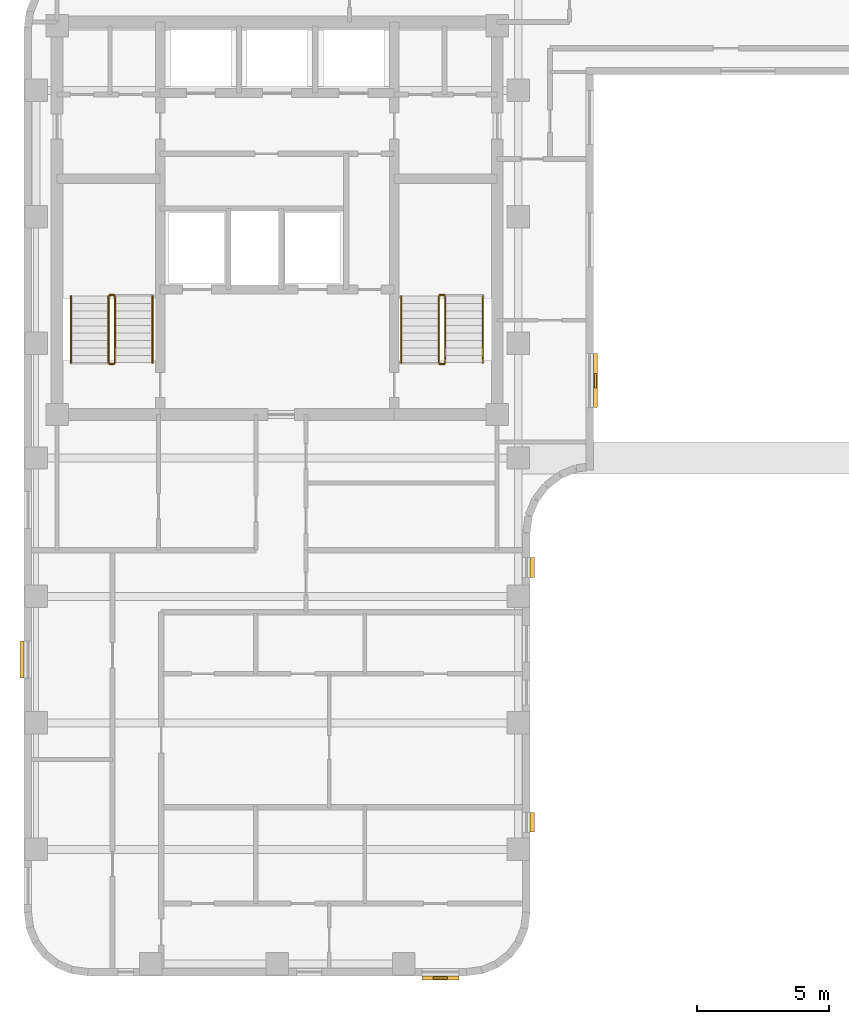
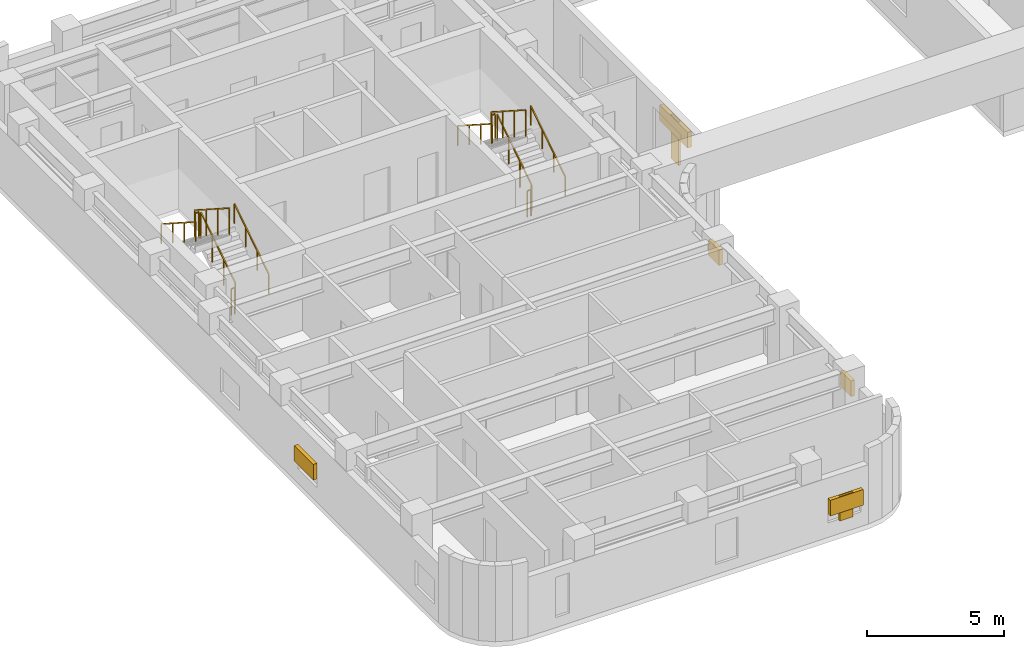
# One storey, part 7 of 8: 12 railings, 7 shading devices.
"""IFC4 building model written with IfcOpenShell, lengths in metres."""

from ifc_helpers import new_model, si_unit, direction, frame, origin, origin_2d, place, context, subcontext, project, spatial, rectangle, extrude, material, type_object, element, save


model = new_model("IFC4")

# Units and contexts
model_context = context("Model", 3, precision=1e-05, world=origin(), true_north=direction((0.0, 1.0)))
body_context = subcontext(model_context, "Body", "Model", "MODEL_VIEW")
ifc_project = project(units=[si_unit("LENGTHUNIT", "METRE"), si_unit("AREAUNIT", "SQUARE_METRE"), si_unit("VOLUMEUNIT", "CUBIC_METRE"), si_unit("PLANEANGLEUNIT", "RADIAN"), si_unit("MASSUNIT", "GRAM", prefix="KILO")], contexts=[model_context])

# Site, building, storey
site_placement = place(None, origin())
site = spatial("IfcSite", under=ifc_project, at=site_placement, CompositionType="ELEMENT")
building_placement = place(site_placement, origin())
building = spatial("IfcBuilding", under=site, at=building_placement, Name="Orvandelia Arch Residences", CompositionType="ELEMENT")
storey_placement = place(building_placement, frame((0.0, 0.0, 203.800048828125)))
storey = spatial("IfcBuildingStorey", under=building, at=storey_placement, Name="L53", CompositionType="ELEMENT", Elevation=203.800048828125)

# Railings
ifc_material_1 = material(Name="Brushed Stainless Steel 304", Category="steel")
railing_type_1 = type_object("IfcRailingType", Name="RL-STAIR-GD1120", PredefinedType="GUARDRAIL", material=ifc_material_1)
railing_1_placement = place(storey_placement, frame((8.25, 32.8701171875, 0.179931640625)))
element("IfcRailing", 1, at=railing_1_placement, inside=storey, type_object=railing_type_1, Name="L53 ST-1 stair guard 1", PredefinedType="GUARDRAIL", context=body_context, shape_type="SweptSolid", body=[
    extrude(rectangle(XDim=0.048095703125, YDim=0.048095703125, at=origin_2d()), frame((0.0, 0.0, 1.17578125), z_axis=(0.0, 0.841138753965, 0.540819375188), x_axis=(-1.0, 0.0, 0.0)), (0.0, 0.0, 1.0), 2.99560546875),
    extrude(rectangle(XDim=0.0419921875, YDim=0.0419921875, at=origin_2d()), origin(), (0.0, 0.0, 1.0), 1.15185546875),
    extrude(rectangle(XDim=0.0419921875, YDim=0.0419921875, at=origin_2d()), frame((0.0, 0.83984375, 0.5400390625)), (0.0, 0.0, 1.0), 1.15185546875),
    extrude(rectangle(XDim=0.0419921875, YDim=0.0419921875, at=origin_2d()), frame((0.0, 1.679931640625, 1.080078125)), (0.0, 0.0, 1.0), 1.15185546875),
    extrude(rectangle(XDim=0.0419921875, YDim=0.0419921875, at=origin_2d()), frame((0.0, 2.519775390625, 1.6201171875)), (0.0, 0.0, 1.0), 1.15185546875),
])
railing_2_placement = place(storey_placement, frame((8.199951171875, 35.43994140625, 1.800048828125)))
element("IfcRailing", 2, at=railing_2_placement, inside=storey, type_object=railing_type_1, Name="L53 ST-1 stair guard 2", PredefinedType="GUARDRAIL", context=body_context, shape_type="SweptSolid", body=[
    extrude(rectangle(XDim=0.048095703125, YDim=0.048095703125, at=origin_2d()), frame((0.0, 0.0, 1.17578125), z_axis=(-1.0, 0.0, 0.0), x_axis=(0.0, -1.0, 0.0)), (0.0, 0.0, 1.0), 0.14990234375),
    extrude(rectangle(XDim=0.0419921875, YDim=0.0419921875, at=origin_2d()), origin(), (0.0, 0.0, 1.0), 1.15185546875),
    extrude(rectangle(XDim=0.0419921875, YDim=0.0419921875, at=origin_2d()), frame((-0.14990234375, 0.0, 0.0)), (0.0, 0.0, 1.0), 1.15185546875),
])
railing_3_placement = place(storey_placement, frame((8.0, 35.389892578125, 1.97998046875)))
element("IfcRailing", 3, at=railing_3_placement, inside=storey, type_object=railing_type_1, Name="L53 ST-1 stair guard 3", PredefinedType="GUARDRAIL", context=body_context, shape_type="SweptSolid", body=[
    extrude(rectangle(XDim=0.048095703125, YDim=0.048095703125, at=origin_2d()), frame((0.0, 0.0, 1.17578125), z_axis=(0.0, -0.841175827307, 0.540761710511), x_axis=(1.0, 0.0, 0.0)), (0.0, 0.0, 1.0), 2.99560546875),
    extrude(rectangle(XDim=0.0419921875, YDim=0.0419921875, at=origin_2d()), origin(), (0.0, 0.0, 1.0), 1.15185546875),
    extrude(rectangle(XDim=0.0419921875, YDim=0.0419921875, at=origin_2d()), frame((0.0, -0.83984375, 0.5400390625)), (0.0, 0.0, 1.0), 1.15185546875),
    extrude(rectangle(XDim=0.0419921875, YDim=0.0419921875, at=origin_2d()), frame((0.0, -1.679931640625, 1.079833984375)), (0.0, 0.0, 1.0), 1.15185546875),
    extrude(rectangle(XDim=0.0419921875, YDim=0.0419921875, at=origin_2d()), frame((0.0, -2.519775390625, 1.619873046875)), (0.0, 0.0, 1.0), 1.15185546875),
])
railing_4_placement = place(storey_placement, frame((8.199951171875, 32.820068359375, 0.0)))
element("IfcRailing", 4, at=railing_4_placement, inside=storey, type_object=railing_type_1, Name="L53 ST-1 stair guard 4", PredefinedType="GUARDRAIL", context=body_context, shape_type="SweptSolid", body=[
    extrude(rectangle(XDim=0.048095703125, YDim=0.048095703125, at=origin_2d()), frame((0.0, 0.0, 1.17578125), z_axis=(-1.0, 0.0, 0.0), x_axis=(0.0, -1.0, 0.0)), (0.0, 0.0, 1.0), 0.14990234375),
    extrude(rectangle(XDim=0.0419921875, YDim=0.0419921875, at=origin_2d()), origin(), (0.0, 0.0, 1.0), 1.15185546875),
    extrude(rectangle(XDim=0.0419921875, YDim=0.0419921875, at=origin_2d()), frame((-0.14990234375, 0.0, 0.0)), (0.0, 0.0, 1.0), 1.15185546875),
])
railing_5_placement = place(storey_placement, frame((20.780029296875, 32.8701171875, 0.179931640625)))
element("IfcRailing", 5, at=railing_5_placement, inside=storey, type_object=railing_type_1, Name="L53 ST-2 stair guard 1", PredefinedType="GUARDRAIL", context=body_context, shape_type="SweptSolid", body=[
    extrude(rectangle(XDim=0.048095703125, YDim=0.048095703125, at=origin_2d()), frame((0.0, 0.0, 1.17578125), z_axis=(0.0, 0.841138753965, 0.540819375188), x_axis=(-1.0, 0.0, 0.0)), (0.0, 0.0, 1.0), 2.99560546875),
    extrude(rectangle(XDim=0.0419921875, YDim=0.0419921875, at=origin_2d()), origin(), (0.0, 0.0, 1.0), 1.15185546875),
    extrude(rectangle(XDim=0.0419921875, YDim=0.0419921875, at=origin_2d()), frame((0.0, 0.83984375, 0.5400390625)), (0.0, 0.0, 1.0), 1.15185546875),
    extrude(rectangle(XDim=0.0419921875, YDim=0.0419921875, at=origin_2d()), frame((0.0, 1.679931640625, 1.080078125)), (0.0, 0.0, 1.0), 1.15185546875),
    extrude(rectangle(XDim=0.0419921875, YDim=0.0419921875, at=origin_2d()), frame((0.0, 2.519775390625, 1.6201171875)), (0.0, 0.0, 1.0), 1.15185546875),
])
railing_6_placement = place(storey_placement, frame((20.72998046875, 35.43994140625, 1.800048828125)))
element("IfcRailing", 6, at=railing_6_placement, inside=storey, type_object=railing_type_1, Name="L53 ST-2 stair guard 2", PredefinedType="GUARDRAIL", context=body_context, shape_type="SweptSolid", body=[
    extrude(rectangle(XDim=0.048095703125, YDim=0.048095703125, at=origin_2d()), frame((0.0, 0.0, 1.17578125), z_axis=(-1.0, 0.0, 0.0), x_axis=(0.0, -1.0, 0.0)), (0.0, 0.0, 1.0), 0.14990234375),
    extrude(rectangle(XDim=0.0419921875, YDim=0.0419921875, at=origin_2d()), origin(), (0.0, 0.0, 1.0), 1.15185546875),
    extrude(rectangle(XDim=0.0419921875, YDim=0.0419921875, at=origin_2d()), frame((-0.14990234375, 0.0, 0.0)), (0.0, 0.0, 1.0), 1.15185546875),
])
railing_7_placement = place(storey_placement, frame((20.530029296875, 35.389892578125, 1.97998046875)))
element("IfcRailing", 7, at=railing_7_placement, inside=storey, type_object=railing_type_1, Name="L53 ST-2 stair guard 3", PredefinedType="GUARDRAIL", context=body_context, shape_type="SweptSolid", body=[
    extrude(rectangle(XDim=0.048095703125, YDim=0.048095703125, at=origin_2d()), frame((0.0, 0.0, 1.17578125), z_axis=(0.0, -0.841175827307, 0.540761710511), x_axis=(1.0, 0.0, 0.0)), (0.0, 0.0, 1.0), 2.99560546875),
    extrude(rectangle(XDim=0.0419921875, YDim=0.0419921875, at=origin_2d()), origin(), (0.0, 0.0, 1.0), 1.15185546875),
    extrude(rectangle(XDim=0.0419921875, YDim=0.0419921875, at=origin_2d()), frame((0.0, -0.83984375, 0.5400390625)), (0.0, 0.0, 1.0), 1.15185546875),
    extrude(rectangle(XDim=0.0419921875, YDim=0.0419921875, at=origin_2d()), frame((0.0, -1.679931640625, 1.079833984375)), (0.0, 0.0, 1.0), 1.15185546875),
    extrude(rectangle(XDim=0.0419921875, YDim=0.0419921875, at=origin_2d()), frame((0.0, -2.519775390625, 1.619873046875)), (0.0, 0.0, 1.0), 1.15185546875),
])
railing_8_placement = place(storey_placement, frame((20.72998046875, 32.820068359375, 0.0)))
element("IfcRailing", 8, at=railing_8_placement, inside=storey, type_object=railing_type_1, Name="L53 ST-2 stair guard 4", PredefinedType="GUARDRAIL", context=body_context, shape_type="SweptSolid", body=[
    extrude(rectangle(XDim=0.048095703125, YDim=0.048095703125, at=origin_2d()), frame((0.0, 0.0, 1.17578125), z_axis=(-1.0, 0.0, 0.0), x_axis=(0.0, -1.0, 0.0)), (0.0, 0.0, 1.0), 0.14990234375),
    extrude(rectangle(XDim=0.0419921875, YDim=0.0419921875, at=origin_2d()), origin(), (0.0, 0.0, 1.0), 1.15185546875),
    extrude(rectangle(XDim=0.0419921875, YDim=0.0419921875, at=origin_2d()), frame((-0.14990234375, 0.0, 0.0)), (0.0, 0.0, 1.0), 1.15185546875),
])
railing_type_2 = type_object("IfcRailingType", Name="RL-STAIR-HR920", PredefinedType="HANDRAIL", material=ifc_material_1)
railing_9_placement = place(storey_placement, frame((9.669921875, 32.8701171875, 0.35986328125)))
element("IfcRailing", 9, at=railing_9_placement, inside=storey, type_object=railing_type_2, Name="L53 ST-1 stair handrail 1", PredefinedType="HANDRAIL", context=body_context, shape_type="SweptSolid", body=[
    extrude(rectangle(XDim=0.048095703125, YDim=0.048095703125, at=origin_2d()), frame((0.0, 0.0, 0.8759765625), z_axis=(0.0, 0.841138753965, 0.540819375188), x_axis=(-1.0, 0.0, 0.0)), (0.0, 0.0, 1.0), 2.99560546875),
    extrude(rectangle(XDim=0.0419921875, YDim=0.0419921875, at=origin_2d()), origin(), (0.0, 0.0, 1.0), 0.851806640625),
    extrude(rectangle(XDim=0.0419921875, YDim=0.0419921875, at=origin_2d()), frame((0.0, 0.83984375, 0.5400390625)), (0.0, 0.0, 1.0), 0.851806640625),
    extrude(rectangle(XDim=0.0419921875, YDim=0.0419921875, at=origin_2d()), frame((0.0, 1.679931640625, 1.080078125)), (0.0, 0.0, 1.0), 0.851806640625),
    extrude(rectangle(XDim=0.0419921875, YDim=0.0419921875, at=origin_2d()), frame((0.0, 2.519775390625, 1.6201171875)), (0.0, 0.0, 1.0), 0.851806640625),
])
railing_10_placement = place(storey_placement, frame((6.580078125, 35.389892578125, 2.159912109375)))
element("IfcRailing", 10, at=railing_10_placement, inside=storey, type_object=railing_type_2, Name="L53 ST-1 stair handrail 2", PredefinedType="HANDRAIL", context=body_context, shape_type="SweptSolid", body=[
    extrude(rectangle(XDim=0.048095703125, YDim=0.048095703125, at=origin_2d()), frame((0.0, 0.0, 0.8759765625), z_axis=(0.0, -0.841138753965, 0.540819375188), x_axis=(1.0, 0.0, 0.0)), (0.0, 0.0, 1.0), 2.99560546875),
    extrude(rectangle(XDim=0.0419921875, YDim=0.0419921875, at=origin_2d()), origin(), (0.0, 0.0, 1.0), 0.851806640625),
    extrude(rectangle(XDim=0.0419921875, YDim=0.0419921875, at=origin_2d()), frame((0.0, -0.83984375, 0.5400390625)), (0.0, 0.0, 1.0), 0.851806640625),
    extrude(rectangle(XDim=0.0419921875, YDim=0.0419921875, at=origin_2d()), frame((0.0, -1.679931640625, 1.080078125)), (0.0, 0.0, 1.0), 0.851806640625),
    extrude(rectangle(XDim=0.0419921875, YDim=0.0419921875, at=origin_2d()), frame((0.0, -2.519775390625, 1.6201171875)), (0.0, 0.0, 1.0), 0.851806640625),
])
railing_11_placement = place(storey_placement, frame((22.199951171875, 32.8701171875, 0.35986328125)))
element("IfcRailing", 11, at=railing_11_placement, inside=storey, type_object=railing_type_2, Name="L53 ST-2 stair handrail 1", PredefinedType="HANDRAIL", context=body_context, shape_type="SweptSolid", body=[
    extrude(rectangle(XDim=0.048095703125, YDim=0.048095703125, at=origin_2d()), frame((0.0, 0.0, 0.8759765625), z_axis=(0.0, 0.841138753965, 0.540819375188), x_axis=(-1.0, 0.0, 0.0)), (0.0, 0.0, 1.0), 2.99560546875),
    extrude(rectangle(XDim=0.0419921875, YDim=0.0419921875, at=origin_2d()), origin(), (0.0, 0.0, 1.0), 0.851806640625),
    extrude(rectangle(XDim=0.0419921875, YDim=0.0419921875, at=origin_2d()), frame((0.0, 0.83984375, 0.5400390625)), (0.0, 0.0, 1.0), 0.851806640625),
    extrude(rectangle(XDim=0.0419921875, YDim=0.0419921875, at=origin_2d()), frame((0.0, 1.679931640625, 1.080078125)), (0.0, 0.0, 1.0), 0.851806640625),
    extrude(rectangle(XDim=0.0419921875, YDim=0.0419921875, at=origin_2d()), frame((0.0, 2.519775390625, 1.6201171875)), (0.0, 0.0, 1.0), 0.851806640625),
])
railing_12_placement = place(storey_placement, frame((19.110107421875, 35.389892578125, 2.159912109375)))
element("IfcRailing", 12, at=railing_12_placement, inside=storey, type_object=railing_type_2, Name="L53 ST-2 stair handrail 2", PredefinedType="HANDRAIL", context=body_context, shape_type="SweptSolid", body=[
    extrude(rectangle(XDim=0.048095703125, YDim=0.048095703125, at=origin_2d()), frame((0.0, 0.0, 0.8759765625), z_axis=(0.0, -0.841138753965, 0.540819375188), x_axis=(1.0, 0.0, 0.0)), (0.0, 0.0, 1.0), 2.99560546875),
    extrude(rectangle(XDim=0.0419921875, YDim=0.0419921875, at=origin_2d()), origin(), (0.0, 0.0, 1.0), 0.851806640625),
    extrude(rectangle(XDim=0.0419921875, YDim=0.0419921875, at=origin_2d()), frame((0.0, -0.83984375, 0.5400390625)), (0.0, 0.0, 1.0), 0.851806640625),
    extrude(rectangle(XDim=0.0419921875, YDim=0.0419921875, at=origin_2d()), frame((0.0, -1.679931640625, 1.080078125)), (0.0, 0.0, 1.0), 0.851806640625),
    extrude(rectangle(XDim=0.0419921875, YDim=0.0419921875, at=origin_2d()), frame((0.0, -2.519775390625, 1.6201171875)), (0.0, 0.0, 1.0), 0.851806640625),
])

# Shading devices
ifc_material_2 = material(Name="Anodised Champagne-Bronze Extruded Aluminium", Category="aluminium")
shading_device_type_1 = type_object("IfcShadingDeviceType", Name="SHD-JALOUSIE-SCREEN", PredefinedType="JALOUSIE", material=ifc_material_2)
shading_device_1_placement = place(storey_placement, frame((26.47998046875, 32.18505859375, 2.0498046875), z_axis=(0.0, 0.0, 1.0), x_axis=(0.0, -1.0, 0.0)))
element("IfcShadingDevice", 13, at=shading_device_1_placement, inside=storey, type_object=shading_device_type_1, Name="Bronze Jalousie Sun-Shade L53-003", PredefinedType="JALOUSIE", context=body_context, shape_type="SweptSolid", body=[
    extrude(rectangle(XDim=2.050048828125, YDim=0.159912109375, at=origin_2d()), origin(), (0.0, 0.0, 1.0), 0.699951171875),
])
for number, where, z_axis, x_axis, name in (
    (14, (24.080078125, 15.422607421875, 1.5498046875), (0.0, 0.0, 1.0), (0.0, -1.0, 0.0), "Bronze Jalousie Sun-Shade L53-004"),
    (15, (24.080078125, 25.092529296875, 1.5498046875), (0.0, 0.0, 1.0), (0.0, -1.0, 0.0), "Bronze Jalousie Sun-Shade L53-005"),
):
    element("IfcShadingDevice", number, at=place(storey_placement, frame(where, z_axis=z_axis, x_axis=x_axis)), inside=storey, type_object=shading_device_type_1, Name=name, PredefinedType="JALOUSIE", context=body_context, shape_type="SweptSolid", body=[
        extrude(rectangle(XDim=0.75, YDim=0.159912109375, at=origin_2d()), origin(), (0.0, 0.0, 1.0), 0.699951171875),
    ])
for number, where, z_axis, x_axis, name in (
    (16, (20.592529296875, 9.52001953125, 1.0498046875), (0.0, 0.0, 1.0), (-1.0, 0.0, 0.0), "Bronze Jalousie Sun-Shade L53-006"),
    (17, (4.719970703125, 21.60009765625, 1.0498046875), (0.0, 0.0, 1.0), (0.0, 1.0, 0.0), "Bronze Jalousie Sun-Shade L53-007"),
):
    element("IfcShadingDevice", number, at=place(storey_placement, frame(where, z_axis=z_axis, x_axis=x_axis)), inside=storey, type_object=shading_device_type_1, Name=name, PredefinedType="JALOUSIE", context=body_context, shape_type="SweptSolid", body=[
        extrude(rectangle(XDim=1.39990234375, YDim=0.159912109375, at=origin_2d()), origin(), (0.0, 0.0, 1.0), 0.699951171875),
    ])
ifc_material_3 = material(Name="Marine-Grade Perforated Aluminium Storm Shutter", Category="aluminium")
shading_device_type_2 = type_object("IfcShadingDeviceType", Name="SHD-STORM-SHUTTER", PredefinedType="SHUTTER", material=ifc_material_3)
shading_device_2_placement = place(storey_placement, frame((26.47998046875, 32.18505859375, 0.7998046875), z_axis=(0.0, 0.0, 1.0), x_axis=(0.0, -1.0, 0.0)))
element("IfcShadingDevice", 18, at=shading_device_2_placement, inside=storey, type_object=shading_device_type_2, Name="Operable Typhoon Storm Shutter L53-003", PredefinedType="SHUTTER", context=body_context, shape_type="SweptSolid", body=[
    extrude(rectangle(XDim=0.550048828125, YDim=0.080078125, at=origin_2d()), origin(), (0.0, 0.0, 1.0), 1.949951171875),
])
shading_device_3_placement = place(storey_placement, frame((20.592529296875, 9.52001953125, 0.64990234375), z_axis=(0.0, 0.0, 1.0), x_axis=(-1.0, 0.0, 0.0)))
element("IfcShadingDevice", 19, at=shading_device_3_placement, inside=storey, type_object=shading_device_type_2, Name="Operable Typhoon Storm Shutter L53-006", PredefinedType="SHUTTER", context=body_context, shape_type="SweptSolid", body=[
    extrude(rectangle(XDim=0.550048828125, YDim=0.080078125, at=origin_2d()), origin(), (0.0, 0.0, 1.0), 1.10009765625),
])

save(model, "model.ifc")
